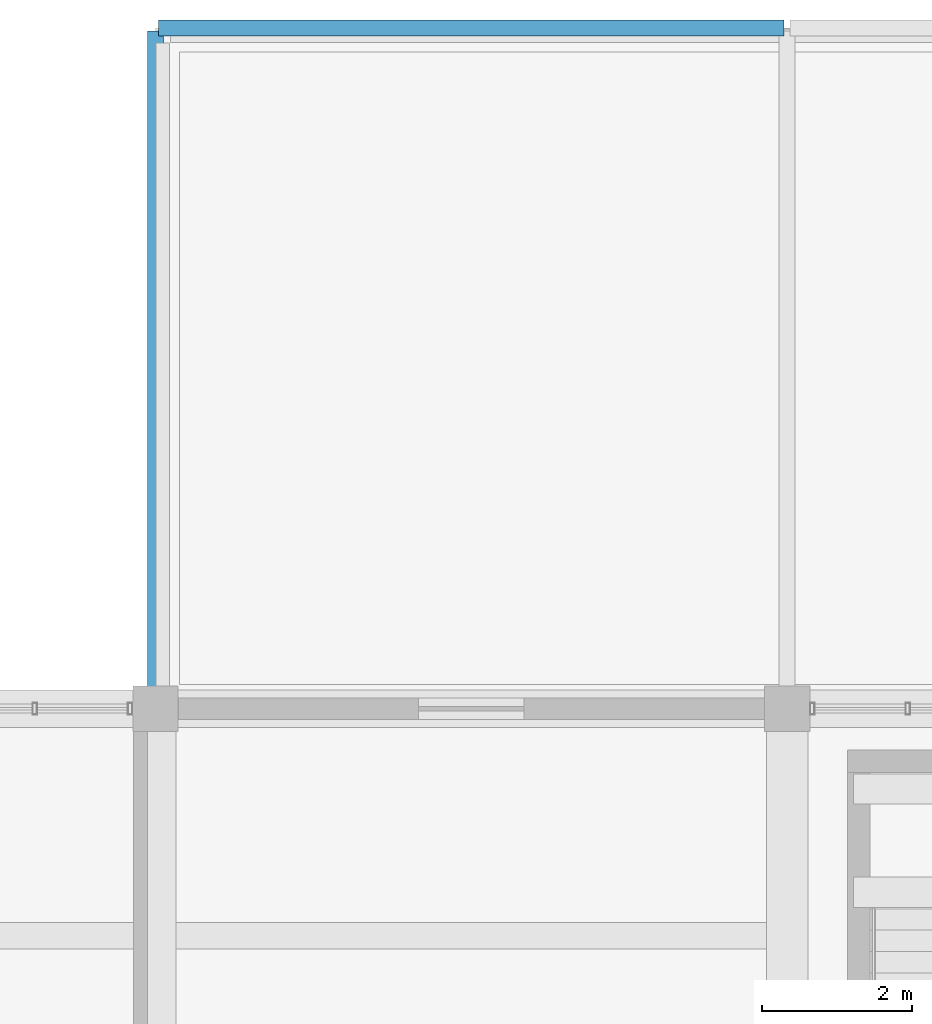
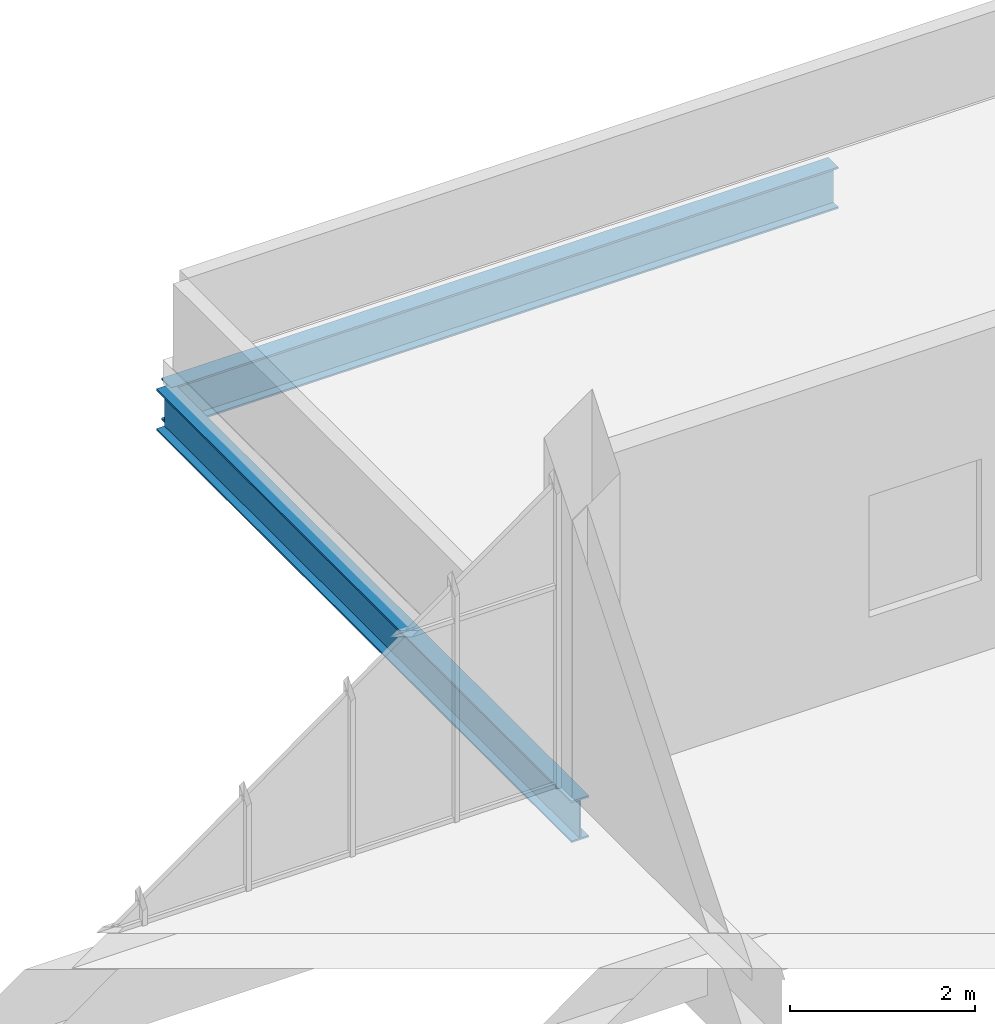
# One storey, part 67 of 132: 2 beams.
"""IFC4 building model written with IfcOpenShell, lengths in metres."""

from ifc_helpers import new_model, si_unit, direction, frame, origin, origin_2d, place, context, subcontext, project, spatial, i_section, extrude, material, material_profile, profile_set, type_object, element, save


model = new_model("IFC4")

# Units and contexts
model_context = context("Model", 3, precision=1e-05, world=origin(), true_north=direction((0.0, 1.0)))
body_context = subcontext(model_context, "Body", "Model", "MODEL_VIEW")
ifc_project = project(units=[si_unit("LENGTHUNIT", "METRE"), si_unit("AREAUNIT", "SQUARE_METRE"), si_unit("VOLUMEUNIT", "CUBIC_METRE"), si_unit("PLANEANGLEUNIT", "RADIAN"), si_unit("MASSUNIT", "GRAM", prefix="KILO")], contexts=[model_context])

# Site, building, storey
site_placement = place(None, origin())
site = spatial("IfcSite", under=ifc_project, at=site_placement, CompositionType="ELEMENT")
building_placement = place(site_placement, origin())
building = spatial("IfcBuilding", under=site, at=building_placement, Name="Khurvash Pelagic Aquarium", CompositionType="ELEMENT")
storey_placement = place(building_placement, frame((0.0, 0.0, 5.39990234375)))
storey = spatial("IfcBuildingStorey", under=building, at=storey_placement, Name="L01", CompositionType="ELEMENT", Elevation=5.39990234375)

# Beams
ifc_material = material(Name="Steel ASTM A992 Grade 50", Category="steel")
ifc_material_profile = material_profile(ifc_material, i_section(OverallWidth=0.214111328125, OverallDepth=0.549072265625, WebThickness=0.0146484375, FlangeThickness=0.023681640625, at=origin_2d()), Name="W21X93")
ifc_profile_set = profile_set([ifc_material_profile], Name="Steel ASTM A992 Grade 50")
beam_type = type_object("IfcBeamType", Name="BM-11", PredefinedType="BEAM", material=ifc_profile_set)
beam_1_placement = place(storey_placement, frame((58.840087890625, 111.199951171875, -0.594482421875), z_axis=(1.0, 0.0, 0.0), x_axis=(0.0, 1.0, 0.0)))
element("IfcBeam", 1, at=beam_1_placement, inside=storey, type_object=beam_type, Name="L01 Roof Girder BM-11 01197", PredefinedType="BEAM", context=body_context, shape_type="SweptSolid", body=[
    extrude(i_section(OverallWidth=0.214111328125, OverallDepth=0.549072265625, WebThickness=0.0146484375, FlangeThickness=0.023681640625, at=origin_2d()), origin(), (0.0, 0.0, 1.0), 8.31982421875),
])
beam_2_placement = place(storey_placement, frame((58.800048828125, 102.18994140625, -0.594482421875), z_axis=(0.0, 1.0, 0.0), x_axis=(-1.0, 0.0, 0.0)))
element("IfcBeam", 2, at=beam_2_placement, inside=storey, type_object=beam_type, Name="L01 Roof Girder BM-11 01209", PredefinedType="BEAM", context=body_context, shape_type="SweptSolid", body=[
    extrude(i_section(OverallWidth=0.214111328125, OverallDepth=0.549072265625, WebThickness=0.0146484375, FlangeThickness=0.023681640625, at=origin_2d()), origin(), (0.0, 0.0, 1.0), 8.969970703125),
])

save(model, "model.ifc")
